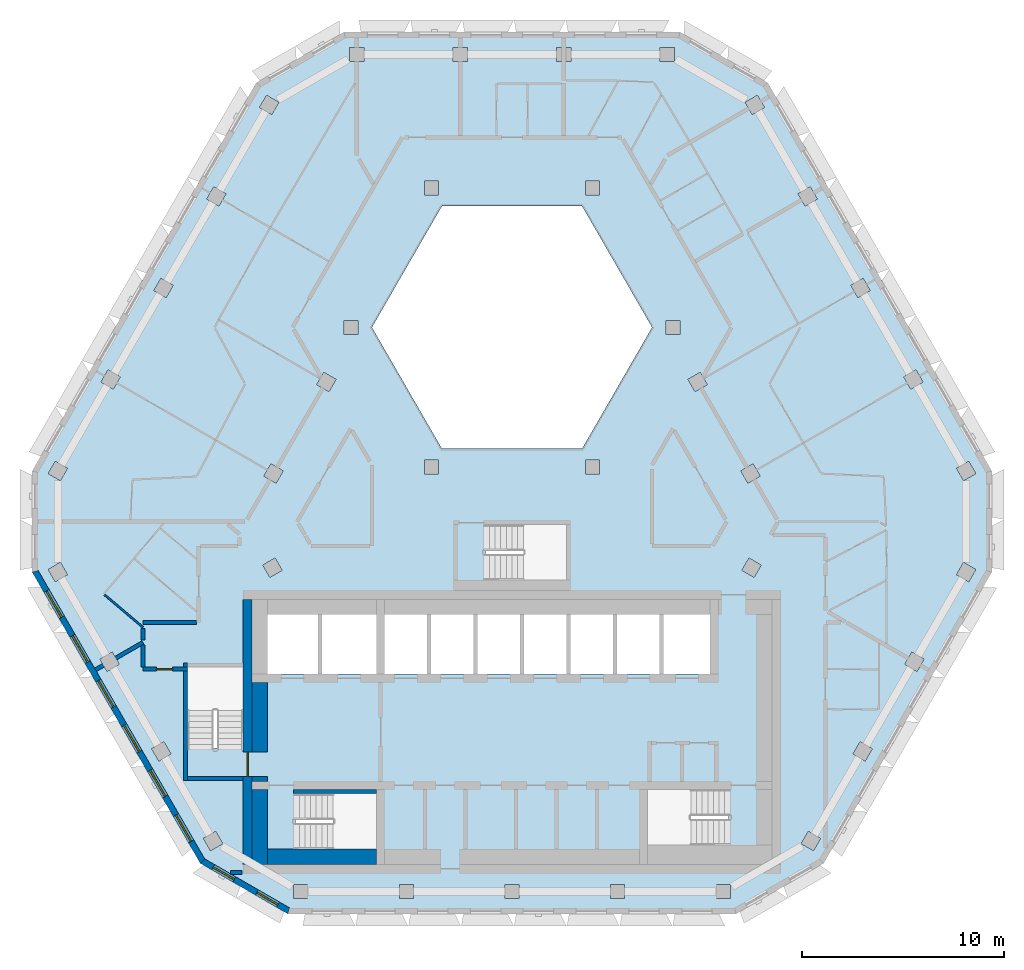
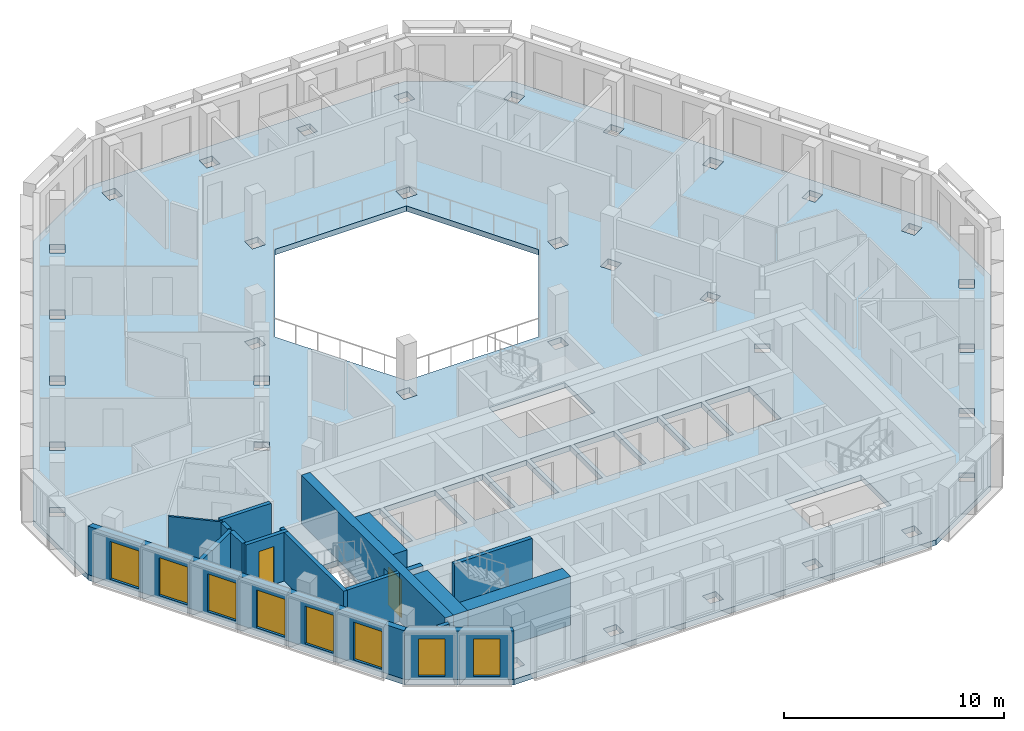
# One storey, part 2 of 16: 17 walls, 8 windows, 2 doors, 1 slab, 10 openings.
"""IFC4 building model written with IfcOpenShell, lengths in metres."""

from ifc_helpers import new_model, si_unit, direction, frame, frame_2d, origin, place, context, subcontext, project, spatial, polyline, rectangle, outline, extrude, material, layer, layer_set, type_object, element, fill, save


model = new_model("IFC4")

# Units and contexts
model_context = context("Model", 3, precision=1e-05, world=origin(), true_north=direction((0.0, 1.0)))
body_context = subcontext(model_context, "Body", "Model", "MODEL_VIEW")
ifc_project = project(units=[si_unit("LENGTHUNIT", "METRE"), si_unit("AREAUNIT", "SQUARE_METRE"), si_unit("VOLUMEUNIT", "CUBIC_METRE"), si_unit("PLANEANGLEUNIT", "RADIAN"), si_unit("MASSUNIT", "GRAM", prefix="KILO")], contexts=[model_context])

# Site, building, storey
site_placement = place(None, origin())
site = spatial("IfcSite", under=ifc_project, at=site_placement, CompositionType="ELEMENT")
building_placement = place(site_placement, origin())
building = spatial("IfcBuilding", under=site, at=building_placement, Name="Beryl Residences", CompositionType="ELEMENT")
storey_placement = place(building_placement, frame((0.0, 0.0, 232.800048828125)))
storey = spatial("IfcBuildingStorey", under=building, at=storey_placement, Name="L72", CompositionType="ELEMENT", Elevation=232.800048828125)

# Slab
ifc_material_1 = material(Name="Concrete C40/50", Category="concrete")
ifc_layer_1 = layer(ifc_material_1, 0.300048828125)
ifc_layer_set_1 = layer_set([ifc_layer_1], Name="SL7 PT floor slab 300 mm C40/50")
slab_type = type_object("IfcSlabType", Name="SL7 PT floor slab 300 mm C40/50", PredefinedType="FLOOR", material=ifc_layer_set_1)
slab_placement = place(storey_placement, frame((0.0, 0.0, -0.300048828125)))
element("IfcSlab", 1, at=slab_placement, inside=storey, type_object=slab_type, Name="L72 slab 1", PredefinedType="FLOOR", context=body_context, shape_type="SweptSolid", body=[
    extrude(outline(polyline([(23.72900390625, -4.10009765625), (15.4150390625, -18.5), (11.0849609375, -21.0), (-11.0849609375, -21.0), (-15.4150390625, -18.5), (-23.72900390625, -4.10009765625), (-23.72900390625, 0.89990234375), (-12.64404296875, 20.10009765625), (-8.31396484375, 22.60009765625), (8.31396484375, 22.60009765625), (12.64404296875, 20.10009765625), (23.72900390625, 0.89990234375), (23.72900390625, -4.10009765625)]), holes=[polyline([(21.97998046875, 1.028076171875), (22.330078125, 0.422119140625), (22.93603515625, 0.77197265625), (22.5859375, 1.3779296875), (21.97998046875, 1.028076171875)]), polyline([(21.97998046875, -4.22900390625), (22.5859375, -4.5791015625), (22.93603515625, -3.972900390625), (22.330078125, -3.623046875), (21.97998046875, -4.22900390625)]), polyline([(19.77099609375, -8.055908203125), (19.4208984375, -8.662109375), (20.027099609375, -9.011962890625), (20.376953125, -8.406005859375), (19.77099609375, -8.055908203125)]), polyline([(19.367919921875, 5.552978515625), (19.718017578125, 4.947021484375), (20.323974609375, 5.297119140625), (19.97412109375, 5.903076171875), (19.367919921875, 5.552978515625)]), polyline([(17.2109375, -12.489013671875), (16.861083984375, -13.094970703125), (17.467041015625, -13.445068359375), (17.81689453125, -12.839111328125), (17.2109375, -12.489013671875)]), polyline([(17.361083984375, 10.427978515625), (16.7548828125, 10.077880859375), (17.10498046875, 9.471923828125), (17.7109375, 9.822021484375), (17.361083984375, 10.427978515625)]), polyline([(15.258056640625, -17.27197265625), (14.652099609375, -16.922119140625), (14.302001953125, -17.528076171875), (14.907958984375, -17.8779296875), (15.258056640625, -17.27197265625)]), polyline([(14.14306640625, 14.60302734375), (14.492919921875, 13.9970703125), (15.09912109375, 14.346923828125), (14.7490234375, 14.952880859375), (14.14306640625, 14.60302734375)]), polyline([(11.531005859375, 19.1279296875), (11.881103515625, 18.52197265625), (12.487060546875, 18.8720703125), (12.136962890625, 19.47802734375), (11.531005859375, 19.1279296875)]), polyline([(11.717041015625, -3.406005859375), (11.366943359375, -4.011962890625), (11.972900390625, -4.362060546875), (12.322998046875, -3.756103515625), (11.717041015625, -3.406005859375)]), polyline([(11.919921875, 1.2529296875), (11.31396484375, 0.903076171875), (11.6640625, 0.297119140625), (12.27001953125, 0.64697265625), (11.919921875, 1.2529296875)]), polyline([(10.800048828125, -19.550048828125), (10.10009765625, -19.550048828125), (10.10009765625, -20.25), (10.800048828125, -20.25), (10.800048828125, -19.550048828125)]), polyline([(6.699951171875, -14.85009765625), (6.699951171875, -17.60009765625), (10.699951171875, -17.60009765625), (10.699951171875, -14.85009765625), (6.699951171875, -14.85009765625)]), polyline([(7.5, -9.14990234375), (9.800048828125, -9.14990234375), (9.800048828125, -6.199951171875), (7.5, -6.199951171875), (7.5, -9.14990234375)]), polyline([(8.700927734375, 5.427978515625), (9.051025390625, 4.822021484375), (9.656982421875, 5.172119140625), (9.306884765625, 5.778076171875), (8.700927734375, 5.427978515625)]), polyline([(8.31689453125, 7.64990234375), (8.31689453125, 8.35009765625), (7.616943359375, 8.35009765625), (7.616943359375, 7.64990234375), (8.31689453125, 7.64990234375)]), polyline([(7.3291015625, 21.85009765625), (7.3291015625, 21.14990234375), (8.029052734375, 21.14990234375), (8.029052734375, 21.85009765625), (7.3291015625, 21.85009765625)]), polyline([(5.199951171875, -9.14990234375), (7.300048828125, -9.14990234375), (7.300048828125, -6.199951171875), (5.199951171875, -6.199951171875), (5.199951171875, -9.14990234375)]), polyline([(3.464111328125, 14.0), (-3.464111328125, 14.0), (-6.92822265625, 8.0), (-3.464111328125, 2.0), (3.464111328125, 2.0), (6.92822265625, 8.0), (3.464111328125, 14.0)]), polyline([(4.875, -19.550048828125), (4.875, -20.25), (5.574951171875, -20.25), (5.574951171875, -19.550048828125), (4.875, -19.550048828125)]), polyline([(2.89990234375, -9.14990234375), (5.0, -9.14990234375), (5.0, -6.199951171875), (2.89990234375, -6.199951171875), (2.89990234375, -9.14990234375)]), polyline([(4.333984375, 15.25), (3.634033203125, 15.25), (3.634033203125, 14.550048828125), (4.333984375, 14.550048828125), (4.333984375, 15.25)]), polyline([(4.333984375, 1.449951171875), (3.634033203125, 1.449951171875), (3.634033203125, 0.75), (4.333984375, 0.75), (4.333984375, 1.449951171875)]), polyline([(2.2099609375, 21.85009765625), (2.2099609375, 21.14990234375), (2.909912109375, 21.14990234375), (2.909912109375, 21.85009765625), (2.2099609375, 21.85009765625)]), polyline([(2.699951171875, -9.14990234375), (2.699951171875, -6.199951171875), (0.60009765625, -6.199951171875), (0.60009765625, -9.14990234375), (2.699951171875, -9.14990234375)]), polyline([(2.699951171875, -4.5), (2.699951171875, -1.75), (-1.300048828125, -1.75), (-1.300048828125, -4.5), (2.699951171875, -4.5)]), polyline([(0.39990234375, -6.199951171875), (-1.699951171875, -6.199951171875), (-1.699951171875, -9.14990234375), (0.39990234375, -9.14990234375), (0.39990234375, -6.199951171875)]), polyline([(0.35009765625, -19.550048828125), (-0.35009765625, -19.550048828125), (-0.35009765625, -20.25), (0.35009765625, -20.25), (0.35009765625, -19.550048828125)]), polyline([(-4.0, -9.14990234375), (-1.89990234375, -9.14990234375), (-1.89990234375, -6.199951171875), (-4.0, -6.199951171875), (-4.0, -9.14990234375)]), polyline([(-2.908935546875, 21.14990234375), (-2.208984375, 21.14990234375), (-2.208984375, 21.85009765625), (-2.908935546875, 21.85009765625), (-2.908935546875, 21.14990234375)]), polyline([(-3.634033203125, 15.25), (-4.333984375, 15.25), (-4.333984375, 14.550048828125), (-3.634033203125, 14.550048828125), (-3.634033203125, 15.25)]), polyline([(-4.333984375, 1.449951171875), (-4.333984375, 0.75), (-3.634033203125, 0.75), (-3.634033203125, 1.449951171875), (-4.333984375, 1.449951171875)]), polyline([(-6.300048828125, -9.14990234375), (-4.199951171875, -9.14990234375), (-4.199951171875, -6.199951171875), (-6.300048828125, -6.199951171875), (-6.300048828125, -9.14990234375)]), polyline([(-4.875, -19.550048828125), (-5.574951171875, -19.550048828125), (-5.574951171875, -20.25), (-4.875, -20.25), (-4.875, -19.550048828125)]), polyline([(-9.39990234375, -6.199951171875), (-9.39990234375, -9.14990234375), (-6.699951171875, -9.14990234375), (-6.699951171875, -6.199951171875), (-9.39990234375, -6.199951171875)]), polyline([(-10.699951171875, -15.050048828125), (-10.699951171875, -17.800048828125), (-6.699951171875, -17.800048828125), (-6.699951171875, -15.050048828125), (-10.699951171875, -15.050048828125)]), polyline([(-8.028076171875, 21.14990234375), (-7.327880859375, 21.14990234375), (-7.327880859375, 21.85009765625), (-8.028076171875, 21.85009765625), (-8.028076171875, 21.14990234375)]), polyline([(-7.616943359375, 7.64990234375), (-7.616943359375, 8.35009765625), (-8.31689453125, 8.35009765625), (-8.31689453125, 7.64990234375), (-7.616943359375, 7.64990234375)]), polyline([(-9.051025390625, 4.822021484375), (-8.700927734375, 5.427978515625), (-9.306884765625, 5.778076171875), (-9.656982421875, 5.172119140625), (-9.051025390625, 4.822021484375)]), polyline([(-12.10009765625, -9.14990234375), (-9.60009765625, -9.14990234375), (-9.60009765625, -6.199951171875), (-12.10009765625, -6.199951171875), (-12.10009765625, -9.14990234375)]), polyline([(-10.800048828125, -19.550048828125), (-10.800048828125, -20.25), (-10.10009765625, -20.25), (-10.10009765625, -19.550048828125), (-10.800048828125, -19.550048828125)]), polyline([(-12.27001953125, 0.64697265625), (-11.6640625, 0.297119140625), (-11.31396484375, 0.903076171875), (-11.919921875, 1.2529296875), (-12.27001953125, 0.64697265625)]), polyline([(-11.972900390625, -4.361083984375), (-11.366943359375, -4.010986328125), (-11.717041015625, -3.405029296875), (-12.322998046875, -3.7548828125), (-11.972900390625, -4.361083984375)]), polyline([(-12.487060546875, 18.8720703125), (-11.881103515625, 18.52197265625), (-11.531005859375, 19.1279296875), (-12.136962890625, 19.47802734375), (-12.487060546875, 18.8720703125)]), polyline([(-13.300048828125, -8.800048828125), (-16.050048828125, -8.800048828125), (-16.050048828125, -12.800048828125), (-13.300048828125, -12.800048828125), (-13.300048828125, -8.800048828125)]), polyline([(-14.14306640625, 14.60302734375), (-14.7490234375, 14.952880859375), (-15.09912109375, 14.346923828125), (-14.492919921875, 13.9970703125), (-14.14306640625, 14.60302734375)]), polyline([(-14.302978515625, -17.527099609375), (-14.653076171875, -16.9208984375), (-15.259033203125, -17.27099609375), (-14.908935546875, -17.876953125), (-14.302978515625, -17.527099609375)]), polyline([(-17.10498046875, 9.471923828125), (-16.7548828125, 10.077880859375), (-17.361083984375, 10.427978515625), (-17.7109375, 9.822021484375), (-17.10498046875, 9.471923828125)]), polyline([(-17.2119140625, -12.488037109375), (-17.818115234375, -12.837890625), (-17.468017578125, -13.444091796875), (-16.862060546875, -13.093994140625), (-17.2119140625, -12.488037109375)]), polyline([(-19.718017578125, 4.947021484375), (-19.367919921875, 5.552978515625), (-19.97412109375, 5.903076171875), (-20.323974609375, 5.297119140625), (-19.718017578125, 4.947021484375)]), polyline([(-19.4208984375, -8.660888671875), (-19.77099609375, -8.054931640625), (-20.376953125, -8.405029296875), (-20.027099609375, -9.010986328125), (-19.4208984375, -8.660888671875)]), polyline([(-22.330078125, 0.422119140625), (-21.97998046875, 1.028076171875), (-22.5859375, 1.3779296875), (-22.93603515625, 0.77197265625), (-22.330078125, 0.422119140625)]), polyline([(-21.98095703125, -4.22802734375), (-22.3310546875, -3.6220703125), (-22.93701171875, -3.971923828125), (-22.5869140625, -4.577880859375), (-21.98095703125, -4.22802734375)])]), origin(), (0.0, 0.0, 1.0), 0.300048828125),
])

# Wall, openings, windows
ifc_material_2 = material(Name="Composite metal panel with mineral wool insulation")
ifc_layer_2 = layer(ifc_material_2, 0.300048828125)
ifc_layer_set_2 = layer_set([ifc_layer_2], Name="ES1 pale metal composite panel wall 300 mm")
wall_type_1 = type_object("IfcWallType", Name="ES1 pale metal composite panel wall 300 mm", PredefinedType="SOLIDWALL", material=ifc_layer_set_2)
wall_1_placement = place(storey_placement, frame((-23.59912109375, -4.02490234375, 0.0), z_axis=(0.0, 0.0, 1.0), x_axis=(0.500012653391, -0.866018098222, 0.0)))
wall_1 = element("IfcWall", 2, at=wall_1_placement, inside=storey, type_object=wall_type_1, Name="ES1 external wall L72 SW", PredefinedType="SOLIDWALL", context=body_context, shape_type="SweptSolid", body=[
    extrude(outline(polyline([(0.0, -0.14990234375), (16.6279296875, -0.14990234375), (16.547607421875, 0.14990234375), (0.080322265625, 0.14990234375), (0.0, -0.14990234375)])), origin(), (0.0, 0.0, 1.0), 2.699951171875),
])
opening_1_placement = place(wall_1_placement, frame((1.1640625, 0.0, 0.14990234375)))
opening_1 = element("IfcOpeningElement", 3, at=opening_1_placement, cuts=wall_1, Name="Opening W1", PredefinedType="OPENING", context=body_context, shape_type="SweptSolid", body=[
    extrude(rectangle(XDim=1.5, YDim=2.10009765625, at=frame_2d((0.75, 1.050048828125))), frame((0.0, 0.159912109375, 0.0), z_axis=(0.0, -1.0, 0.0), x_axis=(1.0, 0.0, 0.0)), (0.0, 0.0, 1.0), 0.320068359375),
])
opening_2_placement = place(wall_1_placement, frame((3.72412109375, 0.0, 0.14990234375)))
opening_2 = element("IfcOpeningElement", 4, at=opening_2_placement, cuts=wall_1, Name="Opening W1", PredefinedType="OPENING", context=body_context, shape_type="SweptSolid", body=[
    extrude(rectangle(XDim=1.5, YDim=2.10009765625, at=frame_2d((0.75, 1.050048828125))), frame((0.0, 0.159912109375, 0.0), z_axis=(0.0, -1.0, 0.0), x_axis=(1.0, 0.0, 0.0)), (0.0, 0.0, 1.0), 0.320068359375),
])
opening_3_placement = place(wall_1_placement, frame((6.282958984375, 0.0, 0.14990234375)))
opening_3 = element("IfcOpeningElement", 5, at=opening_3_placement, cuts=wall_1, Name="Opening W1", PredefinedType="OPENING", context=body_context, shape_type="SweptSolid", body=[
    extrude(rectangle(XDim=1.5, YDim=2.10009765625, at=frame_2d((0.75, 1.050048828125))), frame((0.0, 0.159912109375, 0.0), z_axis=(0.0, -1.0, 0.0), x_axis=(1.0, 0.0, 0.0)), (0.0, 0.0, 1.0), 0.320068359375),
])
opening_4_placement = place(wall_1_placement, frame((8.843017578125, 0.0, 0.14990234375)))
opening_4 = element("IfcOpeningElement", 6, at=opening_4_placement, cuts=wall_1, Name="Opening W1", PredefinedType="OPENING", context=body_context, shape_type="SweptSolid", body=[
    extrude(rectangle(XDim=1.5, YDim=2.10009765625, at=frame_2d((0.75, 1.050048828125))), frame((0.0, 0.159912109375, 0.0), z_axis=(0.0, -1.0, 0.0), x_axis=(1.0, 0.0, 0.0)), (0.0, 0.0, 1.0), 0.320068359375),
])
opening_5_placement = place(wall_1_placement, frame((11.403076171875, 0.0, 0.14990234375)))
opening_5 = element("IfcOpeningElement", 7, at=opening_5_placement, cuts=wall_1, Name="Opening W1", PredefinedType="OPENING", context=body_context, shape_type="SweptSolid", body=[
    extrude(rectangle(XDim=1.5, YDim=2.10009765625, at=frame_2d((0.75, 1.050048828125))), frame((0.0, 0.159912109375, 0.0), z_axis=(0.0, -1.0, 0.0), x_axis=(1.0, 0.0, 0.0)), (0.0, 0.0, 1.0), 0.320068359375),
])
opening_6_placement = place(wall_1_placement, frame((13.9619140625, 0.0, 0.14990234375)))
opening_6 = element("IfcOpeningElement", 8, at=opening_6_placement, cuts=wall_1, Name="Opening W1", PredefinedType="OPENING", context=body_context, shape_type="SweptSolid", body=[
    extrude(rectangle(XDim=1.5, YDim=2.10009765625, at=frame_2d((0.75, 1.050048828125))), frame((0.0, 0.159912109375, 0.0), z_axis=(0.0, -1.0, 0.0), x_axis=(1.0, 0.0, 0.0)), (0.0, 0.0, 1.0), 0.320068359375),
])
ifc_material_3 = material(Name="Aluminium and clear glass", Category="aluminium")
window_type_1 = type_object("IfcWindowType", Name="W1 cell window 1500 x 2100 mm", PartitioningType="SINGLE_PANEL", PredefinedType="WINDOW", material=ifc_material_3)
window_1_placement = place(opening_1_placement, origin())
window_1 = element("IfcWindow", 9, at=window_1_placement, inside=storey, type_object=window_type_1, Name="W1 window L72 SW 1", OverallHeight=2.10009765625, OverallWidth=1.5, PartitioningType="SINGLE_PANEL", PredefinedType="WINDOW", context=body_context, shape_type="SweptSolid", body=[
    extrude(rectangle(XDim=1.5, YDim=2.10009765625, at=frame_2d((0.75, 1.050048828125))), frame((0.0, 0.030029296875, 0.0), z_axis=(0.0, -1.0, 0.0), x_axis=(1.0, 0.0, 0.0)), (0.0, 0.0, 1.0), 0.06005859375),
])
fill(opening_1, window_1)
window_2_placement = place(opening_2_placement, origin())
window_2 = element("IfcWindow", 10, at=window_2_placement, inside=storey, type_object=window_type_1, Name="W1 window L72 SW 2", OverallHeight=2.10009765625, OverallWidth=1.5, PartitioningType="SINGLE_PANEL", PredefinedType="WINDOW", context=body_context, shape_type="SweptSolid", body=[
    extrude(rectangle(XDim=1.5, YDim=2.10009765625, at=frame_2d((0.75, 1.050048828125))), frame((0.0, 0.030029296875, 0.0), z_axis=(0.0, -1.0, 0.0), x_axis=(1.0, 0.0, 0.0)), (0.0, 0.0, 1.0), 0.06005859375),
])
fill(opening_2, window_2)
window_3_placement = place(opening_3_placement, origin())
window_3 = element("IfcWindow", 11, at=window_3_placement, inside=storey, type_object=window_type_1, Name="W1 window L72 SW 3", OverallHeight=2.10009765625, OverallWidth=1.5, PartitioningType="SINGLE_PANEL", PredefinedType="WINDOW", context=body_context, shape_type="SweptSolid", body=[
    extrude(rectangle(XDim=1.5, YDim=2.10009765625, at=frame_2d((0.75, 1.050048828125))), frame((0.0, 0.030029296875, 0.0), z_axis=(0.0, -1.0, 0.0), x_axis=(1.0, 0.0, 0.0)), (0.0, 0.0, 1.0), 0.06005859375),
])
fill(opening_3, window_3)
window_4_placement = place(opening_4_placement, origin())
window_4 = element("IfcWindow", 12, at=window_4_placement, inside=storey, type_object=window_type_1, Name="W1 window L72 SW 4", OverallHeight=2.10009765625, OverallWidth=1.5, PartitioningType="SINGLE_PANEL", PredefinedType="WINDOW", context=body_context, shape_type="SweptSolid", body=[
    extrude(rectangle(XDim=1.5, YDim=2.10009765625, at=frame_2d((0.75, 1.050048828125))), frame((0.0, 0.030029296875, 0.0), z_axis=(0.0, -1.0, 0.0), x_axis=(1.0, 0.0, 0.0)), (0.0, 0.0, 1.0), 0.06005859375),
])
fill(opening_4, window_4)
window_5_placement = place(opening_5_placement, origin())
window_5 = element("IfcWindow", 13, at=window_5_placement, inside=storey, type_object=window_type_1, Name="W1 window L72 SW 5", OverallHeight=2.10009765625, OverallWidth=1.5, PartitioningType="SINGLE_PANEL", PredefinedType="WINDOW", context=body_context, shape_type="SweptSolid", body=[
    extrude(rectangle(XDim=1.5, YDim=2.10009765625, at=frame_2d((0.75, 1.050048828125))), frame((0.0, 0.030029296875, 0.0), z_axis=(0.0, -1.0, 0.0), x_axis=(1.0, 0.0, 0.0)), (0.0, 0.0, 1.0), 0.06005859375),
])
fill(opening_5, window_5)
window_6_placement = place(opening_6_placement, origin())
window_6 = element("IfcWindow", 14, at=window_6_placement, inside=storey, type_object=window_type_1, Name="W1 window L72 SW 6", OverallHeight=2.10009765625, OverallWidth=1.5, PartitioningType="SINGLE_PANEL", PredefinedType="WINDOW", context=body_context, shape_type="SweptSolid", body=[
    extrude(rectangle(XDim=1.5, YDim=2.10009765625, at=frame_2d((0.75, 1.050048828125))), frame((0.0, 0.030029296875, 0.0), z_axis=(0.0, -1.0, 0.0), x_axis=(1.0, 0.0, 0.0)), (0.0, 0.0, 1.0), 0.06005859375),
])
fill(opening_6, window_6)

wall_2_placement = place(storey_placement, frame((-15.340087890625, -18.3701171875, 0.0), z_axis=(0.0, 0.0, 1.0), x_axis=(0.866022959057, -0.500004234368, 0.0)))
wall_2 = element("IfcWall", 15, at=wall_2_placement, inside=storey, type_object=wall_type_1, Name="ES1 external wall L72 SW-S", PredefinedType="SOLIDWALL", context=body_context, shape_type="SweptSolid", body=[
    extrude(outline(polyline([(0.0, -0.14990234375), (5.0, -0.14990234375), (4.919677734375, 0.14990234375), (0.080322265625, 0.14990234375), (0.0, -0.14990234375)])), origin(), (0.0, 0.0, 1.0), 2.699951171875),
])
opening_7_placement = place(wall_2_placement, frame((0.64990234375, 0.0, 0.14990234375)))
opening_7 = element("IfcOpeningElement", 16, at=opening_7_placement, cuts=wall_2, Name="Opening W2", PredefinedType="OPENING", context=body_context, shape_type="SweptSolid", body=[
    extrude(rectangle(XDim=1.199951171875, YDim=2.10009765625, at=frame_2d((0.60009765625, 1.050048828125))), frame((0.0, 0.159912109375, 0.0), z_axis=(0.0, -1.0, 0.0), x_axis=(1.0, 0.0, 0.0)), (0.0, 0.0, 1.0), 0.320068359375),
])
opening_8_placement = place(wall_2_placement, frame((3.14990234375, 0.0, 0.14990234375)))
opening_8 = element("IfcOpeningElement", 17, at=opening_8_placement, cuts=wall_2, Name="Opening W2", PredefinedType="OPENING", context=body_context, shape_type="SweptSolid", body=[
    extrude(rectangle(XDim=1.199951171875, YDim=2.10009765625, at=frame_2d((0.60009765625, 1.050048828125))), frame((0.0, 0.159912109375, 0.0), z_axis=(0.0, -1.0, 0.0), x_axis=(1.0, 0.0, 0.0)), (0.0, 0.0, 1.0), 0.320068359375),
])
ifc_material_4 = material(Name="Aluminium and clear glass", Category="aluminium")
window_type_2 = type_object("IfcWindowType", Name="W2 chamfer window 1200 x 2100 mm", PartitioningType="SINGLE_PANEL", PredefinedType="WINDOW", material=ifc_material_4)
window_7_placement = place(opening_7_placement, origin())
window_7 = element("IfcWindow", 18, at=window_7_placement, inside=storey, type_object=window_type_2, Name="W2 window L72 SW-S 1", OverallHeight=2.10009765625, OverallWidth=1.199951171875, PartitioningType="SINGLE_PANEL", PredefinedType="WINDOW", context=body_context, shape_type="SweptSolid", body=[
    extrude(rectangle(XDim=1.199951171875, YDim=2.10009765625, at=frame_2d((0.60009765625, 1.050048828125))), frame((0.0, 0.030029296875, 0.0), z_axis=(0.0, -1.0, 0.0), x_axis=(1.0, 0.0, 0.0)), (0.0, 0.0, 1.0), 0.06005859375),
])
fill(opening_7, window_7)
window_8_placement = place(opening_8_placement, origin())
window_8 = element("IfcWindow", 19, at=window_8_placement, inside=storey, type_object=window_type_2, Name="W2 window L72 SW-S 2", OverallHeight=2.10009765625, OverallWidth=1.199951171875, PartitioningType="SINGLE_PANEL", PredefinedType="WINDOW", context=body_context, shape_type="SweptSolid", body=[
    extrude(rectangle(XDim=1.199951171875, YDim=2.10009765625, at=frame_2d((0.60009765625, 1.050048828125))), frame((0.0, 0.030029296875, 0.0), z_axis=(0.0, -1.0, 0.0), x_axis=(1.0, 0.0, 0.0)), (0.0, 0.0, 1.0), 0.06005859375),
])
fill(opening_8, window_8)

# Walls
ifc_material_5 = material(Name="Gypsum board partition on steel studs", Category="steel")
ifc_layer_3 = layer(ifc_material_5, 0.10009765625)
ifc_layer_set_3 = layer_set([ifc_layer_3], Name="PT1 partition 100 mm gypsum board on steel studs")
wall_type_2 = type_object("IfcWallType", Name="PT1 partition 100 mm gypsum board on steel studs", PredefinedType="PARTITIONING", material=ifc_layer_set_3)
wall_3_placement = place(storey_placement, frame((-20.14990234375, -5.222900390625, 0.0), z_axis=(0.0, 0.0, 1.0), x_axis=(0.763471868926, -0.645841083672, 0.0)))
element("IfcWall", 20, at=wall_3_placement, inside=storey, type_object=wall_type_2, Name="Wall PT1 L72 019", PredefinedType="PARTITIONING", context=body_context, shape_type="SweptSolid", body=[
    extrude(rectangle(XDim=2.488525390625, YDim=0.10009765625, at=frame_2d((1.244140625, 0.0))), origin(), (0.0, 0.0, 1.0), 2.699951171875),
])
ifc_material_6 = material(Name="Concrete masonry", Category="masonry")
ifc_layer_4 = layer(ifc_material_6, 0.25)
ifc_layer_set_4 = layer_set([ifc_layer_4], Name="PT13-250 lobby wall 250 mm")
wall_type_3 = type_object("IfcWallType", Name="PT13-250 lobby wall 250 mm", PredefinedType="PARTITIONING", material=ifc_layer_set_4)
wall_4_placement = place(storey_placement, frame((-12.85009765625, -14.324951171875, 0.0), z_axis=(0.0, 0.0, 1.0), x_axis=(1.0, 0.0, 0.0)))
element("IfcWall", 21, at=wall_4_placement, inside=storey, type_object=wall_type_3, Name="Lobby wall 05", PredefinedType="PARTITIONING", context=body_context, shape_type="SweptSolid", body=[
    extrude(rectangle(XDim=0.75, YDim=0.25, at=frame_2d((0.375, 0.0))), origin(), (0.0, 0.0, 1.0), 2.699951171875),
])
ifc_material_7 = material(Name="Concrete masonry", Category="masonry")
ifc_layer_5 = layer(ifc_material_7, 0.75)
ifc_layer_set_5 = layer_set([ifc_layer_5], Name="PT13-750 lobby wall 750 mm")
wall_type_4 = type_object("IfcWallType", Name="PT13-750 lobby wall 750 mm", PredefinedType="PARTITIONING", material=ifc_layer_set_5)
wall_5_placement = place(storey_placement, frame((-12.47509765625, -13.0, 0.0), z_axis=(0.0, 0.0, 1.0), x_axis=(0.0, 1.0, 0.0)))
element("IfcWall", 22, at=wall_5_placement, inside=storey, type_object=wall_type_4, Name="Lobby wall 06", PredefinedType="PARTITIONING", context=body_context, shape_type="SweptSolid", body=[
    extrude(rectangle(XDim=3.449951171875, YDim=0.75, at=frame_2d((1.72509765625, 0.0))), origin(), (0.0, 0.0, 1.0), 2.699951171875),
])
ifc_material_8 = material(Name="Acoustic double stud gypsum board wall")
ifc_layer_6 = layer(ifc_material_8, 0.199951171875)
ifc_layer_set_6 = layer_set([ifc_layer_6], Name="PT3 party wall 200 mm acoustic double stud")
wall_type_5 = type_object("IfcWallType", Name="PT3 party wall 200 mm acoustic double stud", PredefinedType="PARTITIONING", material=ifc_layer_set_6)
wall_6_placement = place(storey_placement, frame((-13.9150390625, -18.949951171875, 0.0), z_axis=(0.0, 0.0, 1.0), x_axis=(1.0, 0.0, 0.0)))
element("IfcWall", 23, at=wall_6_placement, inside=storey, type_object=wall_type_5, Name="Wall PT3 L72 009", PredefinedType="PARTITIONING", context=body_context, shape_type="SweptSolid", body=[
    extrude(rectangle(XDim=0.554931640625, YDim=0.199951171875, at=frame_2d((0.27734375, 0.0))), origin(), (0.0, 0.0, 1.0), 2.699951171875),
])
wall_7_placement = place(storey_placement, frame((-20.592041015625, -8.93310546875, 0.0), z_axis=(0.0, 0.0, 1.0), x_axis=(0.866045775131, 0.499964714133, 0.0)))
element("IfcWall", 24, at=wall_7_placement, inside=storey, type_object=wall_type_5, Name="Wall PT3 L72 016", PredefinedType="PARTITIONING", context=body_context, shape_type="SweptSolid", body=[
    extrude(rectangle(XDim=2.704345703125, YDim=0.199951171875, at=frame_2d((1.35205078125, 0.0))), origin(), (0.0, 0.0, 1.0), 2.699951171875),
])
ifc_material_9 = material(Name="Double stud gypsum board wall")
ifc_layer_7 = layer(ifc_material_9, 0.199951171875)
ifc_layer_set_7 = layer_set([ifc_layer_7], Name="PT4 corridor wall 200 mm double stud")
wall_type_6 = type_object("IfcWallType", Name="PT4 corridor wall 200 mm double stud", PredefinedType="PARTITIONING", material=ifc_layer_set_7)
wall_8_placement = place(storey_placement, frame((-18.25, -7.696044921875, 0.0), z_axis=(0.0, 0.0, 1.0), x_axis=(0.0, -1.0, 0.0)))
element("IfcWall", 25, at=wall_8_placement, inside=storey, type_object=wall_type_6, Name="Wall PT4 L72 008", PredefinedType="PARTITIONING", context=body_context, shape_type="SweptSolid", body=[
    extrude(rectangle(XDim=1.10302734375, YDim=0.199951171875, at=frame_2d((0.551513671875, 0.0))), origin(), (0.0, 0.0, 1.0), 2.699951171875),
])
wall_9_placement = place(storey_placement, frame((-18.2490234375, -6.60009765625, 0.0), z_axis=(0.0, 0.0, 1.0), x_axis=(1.0, 0.0, 0.0)))
element("IfcWall", 26, at=wall_9_placement, inside=storey, type_object=wall_type_6, Name="Wall PT4 L72 011", PredefinedType="PARTITIONING", context=body_context, shape_type="SweptSolid", body=[
    extrude(rectangle(XDim=2.64794921875, YDim=0.199951171875, at=frame_2d((1.323974609375, 0.0))), origin(), (0.0, 0.0, 1.0), 2.699951171875),
])

# Wall, opening, door
wall_10_placement = place(storey_placement, frame((-18.2490234375, -8.89990234375, 0.0), z_axis=(0.0, 0.0, 1.0), x_axis=(1.0, 0.0, 0.0)))
wall_10 = element("IfcWall", 27, at=wall_10_placement, inside=storey, type_object=wall_type_6, Name="Wall PT4 L72 012", PredefinedType="PARTITIONING", context=body_context, shape_type="SweptSolid", body=[
    extrude(rectangle(XDim=2.198974609375, YDim=0.199951171875, at=frame_2d((1.099609375, 0.0))), origin(), (0.0, 0.0, 1.0), 2.699951171875),
])
opening_9_placement = place(wall_10_placement, frame((0.6689453125, 0.0, 0.0)))
opening_9 = element("IfcOpeningElement", 28, at=opening_9_placement, cuts=wall_10, Name="Opening D1936", PredefinedType="OPENING", context=body_context, shape_type="SweptSolid", body=[
    extrude(rectangle(XDim=0.800048828125, YDim=2.10009765625, at=frame_2d((0.39990234375, 1.050048828125))), frame((0.0, 0.10986328125, 0.0), z_axis=(0.0, -1.0, 0.0), x_axis=(1.0, 0.0, 0.0)), (0.0, 0.0, 1.0), 0.219970703125),
])
ifc_material_10 = material(Name="Timber door leaf", Category="wood")
door_type_1 = type_object("IfcDoorType", Name="D3 bathroom door 800 x 2100 mm", OperationType="SINGLE_SWING_LEFT", PredefinedType="DOOR", material=ifc_material_10)
door_1_placement = place(opening_9_placement, origin())
door_1 = element("IfcDoor", 29, at=door_1_placement, inside=storey, type_object=door_type_1, Name="Door D1936 L72 001", OperationType="SINGLE_SWING_RIGHT", OverallHeight=2.10009765625, OverallWidth=0.800048828125, PredefinedType="DOOR", context=body_context, shape_type="SweptSolid", body=[
    extrude(rectangle(XDim=0.800048828125, YDim=2.10009765625, at=frame_2d((0.39990234375, 1.050048828125))), frame((0.0, 0.02490234375, 0.0), z_axis=(0.0, -1.0, 0.0), x_axis=(1.0, 0.0, 0.0)), (0.0, 0.0, 1.0), 0.050048828125),
])
fill(opening_9, door_1)

# Walls
wall_11_placement = place(storey_placement, frame((-18.25, -7.465087890625, 0.0), z_axis=(0.0, 0.0, 1.0), x_axis=(0.0, 1.0, 0.0)))
element("IfcWall", 30, at=wall_11_placement, inside=storey, type_object=wall_type_6, Name="Wall PT4 L72 031", PredefinedType="PARTITIONING", context=body_context, shape_type="SweptSolid", body=[
    extrude(rectangle(XDim=0.570068359375, YDim=0.199951171875, at=frame_2d((0.28515625, 0.0))), origin(), (0.0, 0.0, 1.0), 2.699951171875),
])
ifc_material_11 = material(Name="Concrete C40/50", Category="concrete")
ifc_layer_8 = layer(ifc_material_11, 0.199951171875)
ifc_layer_set_8 = layer_set([ifc_layer_8], Name="PT5 stair enclosure wall 200 mm reinforced concrete C40/50")
wall_type_7 = type_object("IfcWallType", Name="PT5 stair enclosure wall 200 mm reinforced concrete C40/50", PredefinedType="SOLIDWALL", material=ifc_layer_set_8)
wall_12_placement = place(storey_placement, frame((-16.14990234375, -14.39990234375, 0.0), z_axis=(0.0, 0.0, 1.0), x_axis=(0.0, 1.0, 0.0)))
element("IfcWall", 31, at=wall_12_placement, inside=storey, type_object=wall_type_7, Name="Stair wall 01", PredefinedType="SOLIDWALL", context=body_context, shape_type="SweptSolid", body=[
    extrude(rectangle(XDim=5.7998046875, YDim=0.199951171875, at=frame_2d((2.89990234375, 0.0))), origin(), (0.0, 0.0, 1.0), 2.699951171875),
])
wall_13_placement = place(storey_placement, frame((-16.050048828125, -14.300048828125, 0.0), z_axis=(0.0, 0.0, 1.0), x_axis=(1.0, 0.0, 0.0)))
element("IfcWall", 32, at=wall_13_placement, inside=storey, type_object=wall_type_7, Name="Stair wall 02", PredefinedType="SOLIDWALL", context=body_context, shape_type="SweptSolid", body=[
    extrude(rectangle(XDim=2.75, YDim=0.199951171875, at=frame_2d((1.375, 0.0))), origin(), (0.0, 0.0, 1.0), 2.699951171875),
])
wall_14_placement = place(storey_placement, frame((-10.800048828125, -14.949951171875, 0.0), z_axis=(0.0, 0.0, 1.0), x_axis=(1.0, 0.0, 0.0)))
element("IfcWall", 33, at=wall_14_placement, inside=storey, type_object=wall_type_7, Name="Stair wall 10", PredefinedType="SOLIDWALL", context=body_context, shape_type="SweptSolid", body=[
    extrude(rectangle(XDim=4.10009765625, YDim=0.199951171875, at=frame_2d((2.050048828125, 0.0))), origin(), (0.0, 0.0, 1.0), 2.699951171875),
])
ifc_material_12 = material(Name="Concrete C40/50", Category="concrete")
ifc_layer_9 = layer(ifc_material_12, 0.75)
ifc_layer_set_9 = layer_set([ifc_layer_9], Name="PT5-750 stair enclosure wall 750 mm")
wall_type_8 = type_object("IfcWallType", Name="PT5-750 stair enclosure wall 750 mm", PredefinedType="SOLIDWALL", material=ifc_layer_set_9)
wall_15_placement = place(storey_placement, frame((-12.47509765625, -18.550048828125, 0.0), z_axis=(0.0, 0.0, 1.0), x_axis=(0.0, 1.0, 0.0)))
element("IfcWall", 34, at=wall_15_placement, inside=storey, type_object=wall_type_8, Name="Stair wall 04", PredefinedType="SOLIDWALL", context=body_context, shape_type="SweptSolid", body=[
    extrude(rectangle(XDim=3.699951171875, YDim=0.75, at=frame_2d((1.85009765625, 0.0))), origin(), (0.0, 0.0, 1.0), 2.699951171875),
])
wall_16_placement = place(storey_placement, frame((-12.10009765625, -18.175048828125, 0.0), z_axis=(0.0, 0.0, 1.0), x_axis=(1.0, 0.0, 0.0)))
element("IfcWall", 35, at=wall_16_placement, inside=storey, type_object=wall_type_8, Name="Stair wall 08", PredefinedType="SOLIDWALL", context=body_context, shape_type="SweptSolid", body=[
    extrude(rectangle(XDim=5.400146484375, YDim=0.75, at=frame_2d((2.7001953125, 0.0))), origin(), (0.0, 0.0, 1.0), 2.699951171875),
])

# Wall, opening, door
ifc_material_13 = material(Name="Concrete C50/60", Category="concrete")
ifc_layer_10 = layer(ifc_material_13, 0.449951171875)
ifc_layer_set_10 = layer_set([ifc_layer_10], Name="SW5 core outer wall 450 mm C50/60")
wall_type_9 = type_object("IfcWallType", Name="SW5 core outer wall 450 mm C50/60", PredefinedType="SHEAR", material=ifc_layer_set_10)
wall_17_placement = place(storey_placement, frame((-13.074951171875, -18.550048828125, 0.0), z_axis=(0.0, 0.0, 1.0), x_axis=(0.0, 1.0, 0.0)))
wall_17 = element("IfcWall", 36, at=wall_17_placement, inside=storey, type_object=wall_type_9, Name="Core wall W L72", PredefinedType="SHEAR", context=body_context, shape_type="SweptSolid", body=[
    extrude(rectangle(XDim=13.10009765625, YDim=0.449951171875, at=frame_2d((6.550048828125, 0.0))), origin(), (0.0, 0.0, 1.0), 2.699951171875),
])
opening_10_placement = place(wall_17_placement, frame((4.35009765625, 0.0, 0.0)))
opening_10 = element("IfcOpeningElement", 37, at=opening_10_placement, cuts=wall_17, Name="Opening SD-2", PredefinedType="OPENING", context=body_context, shape_type="SweptSolid", body=[
    extrude(rectangle(XDim=1.199951171875, YDim=2.10009765625, at=frame_2d((0.60009765625, 1.050048828125))), frame((0.0, 0.23486328125, 0.0), z_axis=(0.0, -1.0, 0.0), x_axis=(1.0, 0.0, 0.0)), (0.0, 0.0, 1.0), 0.469970703125),
])
ifc_material_14 = material(Name="Steel door leaf in steel frame", Category="steel")
door_type_2 = type_object("IfcDoorType", Name="D4 stair door 1200 x 2100 mm", OperationType="SINGLE_SWING_LEFT", PredefinedType="DOOR", material=ifc_material_14)
door_2_placement = place(opening_10_placement, origin())
door_2 = element("IfcDoor", 38, at=door_2_placement, inside=storey, type_object=door_type_2, Name="Door SD-2 L72 001", OperationType="SINGLE_SWING_RIGHT", OverallHeight=2.10009765625, OverallWidth=1.199951171875, PredefinedType="DOOR", context=body_context, shape_type="SweptSolid", body=[
    extrude(rectangle(XDim=1.199951171875, YDim=2.10009765625, at=frame_2d((0.60009765625, 1.050048828125))), frame((0.0, 0.02490234375, 0.0), z_axis=(0.0, -1.0, 0.0), x_axis=(1.0, 0.0, 0.0)), (0.0, 0.0, 1.0), 0.050048828125),
])
fill(opening_10, door_2)

save(model, "model.ifc")
